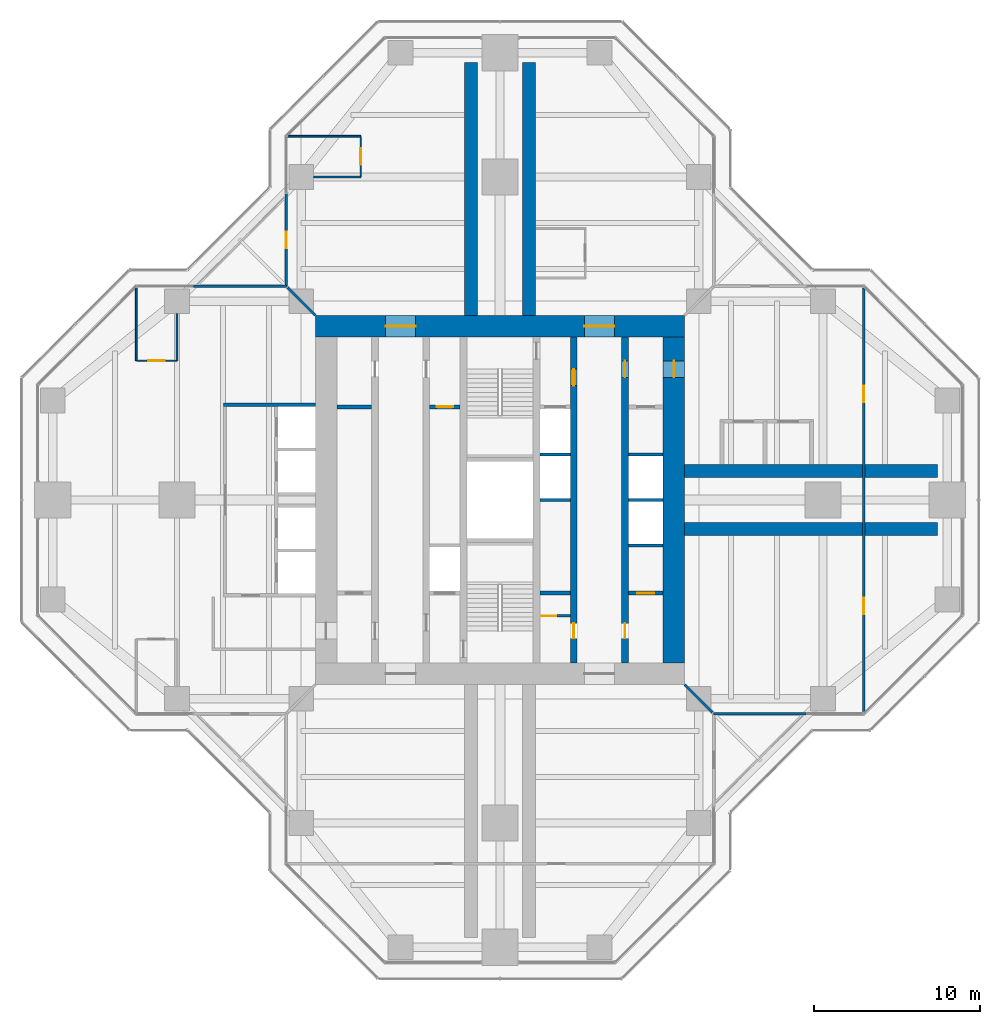
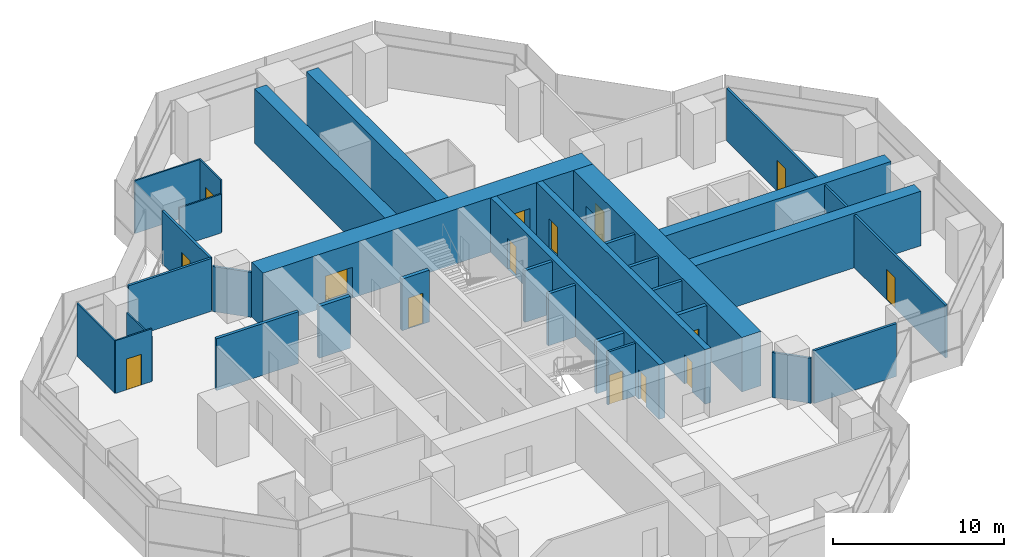
# One storey, part 14 of 17: 31 walls, 15 doors, 15 openings.
"""IFC4 building model written with IfcOpenShell, lengths in metres."""

from ifc_helpers import new_model, si_unit, direction, frame, frame_2d, origin, place, context, subcontext, project, spatial, rectangle, extrude, material, layer, layer_set, type_object, element, fill, save


model = new_model("IFC4")

# Units and contexts
model_context = context("Model", 3, precision=1e-05, world=origin(), true_north=direction((0.0, 1.0)))
body_context = subcontext(model_context, "Body", "Model", "MODEL_VIEW")
ifc_project = project(units=[si_unit("LENGTHUNIT", "METRE"), si_unit("AREAUNIT", "SQUARE_METRE"), si_unit("VOLUMEUNIT", "CUBIC_METRE"), si_unit("PLANEANGLEUNIT", "RADIAN"), si_unit("MASSUNIT", "GRAM", prefix="KILO")], contexts=[model_context])

# Site, building, storey
site_placement = place(None, origin())
site = spatial("IfcSite", under=ifc_project, at=site_placement, CompositionType="ELEMENT")
building_placement = place(site_placement, origin())
building = spatial("IfcBuilding", under=site, at=building_placement, Name="Mizan Broadcast Tower", CompositionType="ELEMENT")
storey_placement = place(building_placement, frame((0.0, 0.0, 212.699951171875)))
storey = spatial("IfcBuildingStorey", under=building, at=storey_placement, Name="L49", CompositionType="ELEMENT", Elevation=212.699951171875)

# Wall, openings, doors
ifc_material_1 = material(Name="Concrete C70/85", Category="concrete")
ifc_layer_1 = layer(ifc_material_1, 0.39990234375)
ifc_layer_set_1 = layer_set([ifc_layer_1], Name="Concrete C70/85")
wall_type_1 = type_object("IfcWallType", Name="CORE INTERNAL WALL 400", PredefinedType="SHEAR", material=ifc_layer_set_1)
wall_1_placement = place(storey_placement, frame((7.550048828125, 9.85009765625, 0.0), z_axis=(0.0, 0.0, 1.0), x_axis=(0.0, -1.0, 0.0)))
wall_1 = element("IfcWall", 1, at=wall_1_placement, inside=storey, type_object=wall_type_1, Name="Core wall CORE/XW1E", PredefinedType="SHEAR", context=body_context, shape_type="SweptSolid", body=[
    extrude(rectangle(XDim=19.7001953125, YDim=0.39990234375, at=frame_2d((9.85009765625, 0.0))), origin(), (0.0, 0.0, 1.0), 3.900146484375),
])
opening_1_placement = place(wall_1_placement, frame((1.449951171875, 0.0, 0.0)))
opening_1 = element("IfcOpeningElement", 2, at=opening_1_placement, cuts=wall_1, Name="Opening D10F", PredefinedType="OPENING", context=body_context, shape_type="SweptSolid", body=[
    extrude(rectangle(XDim=1.0, YDim=2.199951171875, at=frame_2d((0.5, 1.10009765625))), frame((0.0, 0.2099609375, 0.0), z_axis=(0.0, -1.0, 0.0), x_axis=(1.0, 0.0, 0.0)), (0.0, 0.0, 1.0), 0.419921875),
])
opening_2_placement = place(wall_1_placement, frame((17.300048828125, 0.0, 0.0)))
opening_2 = element("IfcOpeningElement", 3, at=opening_2_placement, cuts=wall_1, Name="Opening D09", PredefinedType="OPENING", context=body_context, shape_type="SweptSolid", body=[
    extrude(rectangle(XDim=0.89990234375, YDim=2.10009765625, at=frame_2d((0.449951171875, 1.050048828125))), frame((0.0, 0.2099609375, 0.0), z_axis=(0.0, -1.0, 0.0), x_axis=(1.0, 0.0, 0.0)), (0.0, 0.0, 1.0), 0.419921875),
])
ifc_material_2 = material(Name="Steel door leaf in steel frame", Category="steel")
door_type_1 = type_object("IfcDoorType", Name="FIRE DOOR 1000 FD90", OperationType="SINGLE_SWING_LEFT", PredefinedType="DOOR", material=ifc_material_2)
door_1_placement = place(opening_1_placement, origin())
door_1 = element("IfcDoor", 4, at=door_1_placement, inside=storey, type_object=door_type_1, Name="East core passage door", OperationType="SINGLE_SWING_LEFT", OverallHeight=2.199951171875, OverallWidth=1.0, PredefinedType="DOOR", context=body_context, shape_type="SweptSolid", body=[
    extrude(rectangle(XDim=1.0, YDim=2.199951171875, at=frame_2d((0.5, 1.10009765625))), frame((0.0, 0.02490234375, 0.0), z_axis=(0.0, -1.0, 0.0), x_axis=(1.0, 0.0, 0.0)), (0.0, 0.0, 1.0), 0.050048828125),
])
fill(opening_1, door_1)
ifc_material_3 = material(Name="Timber door leaf in aluminium frame", Category="wood")
door_type_2 = type_object("IfcDoorType", Name="TOILET DOOR 900", OperationType="SINGLE_SWING_LEFT", PredefinedType="DOOR", material=ifc_material_3)
door_2_placement = place(opening_2_placement, origin())
door_2 = element("IfcDoor", 5, at=door_2_placement, inside=storey, type_object=door_type_2, Name="Female WC door", OperationType="SINGLE_SWING_RIGHT", OverallHeight=2.10009765625, OverallWidth=0.89990234375, PredefinedType="DOOR", context=body_context, shape_type="SweptSolid", body=[
    extrude(rectangle(XDim=0.89990234375, YDim=2.10009765625, at=frame_2d((0.449951171875, 1.050048828125))), frame((0.0, 0.02490234375, 0.0), z_axis=(0.0, -1.0, 0.0), x_axis=(1.0, 0.0, 0.0)), (0.0, 0.0, 1.0), 0.050048828125),
])
fill(opening_2, door_2)

wall_2_placement = place(storey_placement, frame((4.449951171875, 9.85009765625, 0.0), z_axis=(0.0, 0.0, 1.0), x_axis=(0.0, -1.0, 0.0)))
wall_2 = element("IfcWall", 6, at=wall_2_placement, inside=storey, type_object=wall_type_1, Name="Core wall CORE/XWHE", PredefinedType="SHEAR", context=body_context, shape_type="SweptSolid", body=[
    extrude(rectangle(XDim=19.7001953125, YDim=0.39990234375, at=frame_2d((9.85009765625, 0.0))), origin(), (0.0, 0.0, 1.0), 3.900146484375),
])
opening_3_placement = place(wall_2_placement, frame((1.949951171875, 0.0, 0.0)))
opening_3 = element("IfcOpeningElement", 7, at=opening_3_placement, cuts=wall_2, Name="Opening D10F", PredefinedType="OPENING", context=body_context, shape_type="SweptSolid", body=[
    extrude(rectangle(XDim=1.0, YDim=2.199951171875, at=frame_2d((0.5, 1.10009765625))), frame((0.0, 0.2099609375, 0.0), z_axis=(0.0, -1.0, 0.0), x_axis=(1.0, 0.0, 0.0)), (0.0, 0.0, 1.0), 0.419921875),
])
opening_4_placement = place(wall_2_placement, frame((17.300048828125, 0.0, 0.0)))
opening_4 = element("IfcOpeningElement", 8, at=opening_4_placement, cuts=wall_2, Name="Opening D09", PredefinedType="OPENING", context=body_context, shape_type="SweptSolid", body=[
    extrude(rectangle(XDim=0.89990234375, YDim=2.10009765625, at=frame_2d((0.449951171875, 1.050048828125))), frame((0.0, 0.2099609375, 0.0), z_axis=(0.0, -1.0, 0.0), x_axis=(1.0, 0.0, 0.0)), (0.0, 0.0, 1.0), 0.419921875),
])
door_3_placement = place(opening_3_placement, origin())
door_3 = element("IfcDoor", 9, at=door_3_placement, inside=storey, type_object=door_type_1, Name="Firefighting lobby B door", OperationType="SINGLE_SWING_LEFT", OverallHeight=2.199951171875, OverallWidth=1.0, PredefinedType="DOOR", context=body_context, shape_type="SweptSolid", body=[
    extrude(rectangle(XDim=1.0, YDim=2.199951171875, at=frame_2d((0.5, 1.10009765625))), frame((0.0, 0.02490234375, 0.0), z_axis=(0.0, -1.0, 0.0), x_axis=(1.0, 0.0, 0.0)), (0.0, 0.0, 1.0), 0.050048828125),
])
fill(opening_3, door_3)
door_4_placement = place(opening_4_placement, origin())
door_4 = element("IfcDoor", 10, at=door_4_placement, inside=storey, type_object=door_type_2, Name="Cleaner's store door", OperationType="SINGLE_SWING_RIGHT", OverallHeight=2.10009765625, OverallWidth=0.89990234375, PredefinedType="DOOR", context=body_context, shape_type="SweptSolid", body=[
    extrude(rectangle(XDim=0.89990234375, YDim=2.10009765625, at=frame_2d((0.449951171875, 1.050048828125))), frame((0.0, 0.02490234375, 0.0), z_axis=(0.0, -1.0, 0.0), x_axis=(1.0, 0.0, 0.0)), (0.0, 0.0, 1.0), 0.050048828125),
])
fill(opening_4, door_4)

# Wall, opening, door
ifc_material_4 = material(Name="Concrete blockwork", Category="masonry")
ifc_layer_2 = layer(ifc_material_4, 0.14990234375)
ifc_layer_set_2 = layer_set([ifc_layer_2], Name="Concrete blockwork")
wall_type_2 = type_object("IfcWallType", Name="CORE PARTITION 150", PredefinedType="SOLIDWALL", material=ifc_layer_set_2)
wall_3_placement = place(storey_placement, frame((2.39990234375, -7.0, 0.0), z_axis=(0.0, 0.0, 1.0), x_axis=(1.0, 0.0, 0.0)))
wall_3 = element("IfcWall", 11, at=wall_3_placement, inside=storey, type_object=wall_type_2, Name="Core partition CORE/XPC", PredefinedType="SOLIDWALL", context=body_context, shape_type="SweptSolid", body=[
    extrude(rectangle(XDim=1.85009765625, YDim=0.14990234375, at=frame_2d((0.925048828125, 0.0))), origin(), (0.0, 0.0, 1.0), 3.77001953125),
])
opening_5_placement = place(wall_3_placement, frame((0.10009765625, 0.0, 0.0)))
opening_5 = element("IfcOpeningElement", 12, at=opening_5_placement, cuts=wall_3, Name="Opening D09F", PredefinedType="OPENING", context=body_context, shape_type="SweptSolid", body=[
    extrude(rectangle(XDim=0.89990234375, YDim=2.10009765625, at=frame_2d((0.449951171875, 1.050048828125))), frame((0.0, 0.0849609375, 0.0), z_axis=(0.0, -1.0, 0.0), x_axis=(1.0, 0.0, 0.0)), (0.0, 0.0, 1.0), 0.169921875),
])
ifc_material_5 = material(Name="Steel door leaf in steel frame", Category="steel")
door_type_3 = type_object("IfcDoorType", Name="CORE ROOM DOOR 900 FD90", OperationType="SINGLE_SWING_LEFT", PredefinedType="DOOR", material=ifc_material_5)
door_5_placement = place(opening_5_placement, origin())
door_5 = element("IfcDoor", 13, at=door_5_placement, inside=storey, type_object=door_type_3, Name="Waste store door", OperationType="SINGLE_SWING_LEFT", OverallHeight=2.10009765625, OverallWidth=0.89990234375, PredefinedType="DOOR", context=body_context, shape_type="SweptSolid", body=[
    extrude(rectangle(XDim=0.89990234375, YDim=2.10009765625, at=frame_2d((0.449951171875, 1.050048828125))), frame((0.0, 0.02490234375, 0.0), z_axis=(0.0, -1.0, 0.0), x_axis=(1.0, 0.0, 0.0)), (0.0, 0.0, 1.0), 0.050048828125),
])
fill(opening_5, door_5)

# Wall, openings, doors
ifc_material_6 = material(Name="Concrete C70/85", Category="concrete")
ifc_layer_3 = layer(ifc_material_6, 1.300048828125)
ifc_layer_set_3 = layer_set([ifc_layer_3], Name="Concrete C70/85")
wall_type_3 = type_object("IfcWallType", Name="CORE WALL 1300", PredefinedType="SHEAR", material=ifc_layer_set_3)
wall_4_placement = place(storey_placement, frame((-11.14990234375, 10.5, 0.0), z_axis=(0.0, 0.0, 1.0), x_axis=(1.0, 0.0, 0.0)))
wall_4 = element("IfcWall", 14, at=wall_4_placement, inside=storey, type_object=wall_type_3, Name="Core wall N L49", PredefinedType="SHEAR", context=body_context, shape_type="SweptSolid", body=[
    extrude(rectangle(XDim=22.2998046875, YDim=1.300048828125, at=frame_2d((11.14990234375, 0.0))), origin(), (0.0, 0.0, 1.0), 3.900146484375),
])
opening_6_placement = place(wall_4_placement, frame((4.25, 0.0, 0.0)))
opening_6 = element("IfcOpeningElement", 15, at=opening_6_placement, cuts=wall_4, Name="Opening D18F", PredefinedType="OPENING", context=body_context, shape_type="SweptSolid", body=[
    extrude(rectangle(XDim=1.800048828125, YDim=2.199951171875, at=frame_2d((0.89990234375, 1.10009765625))), frame((0.0, 0.659912109375, 0.0), z_axis=(0.0, -1.0, 0.0), x_axis=(1.0, 0.0, 0.0)), (0.0, 0.0, 1.0), 1.320068359375),
])
opening_7_placement = place(wall_4_placement, frame((16.25, 0.0, 0.0)))
opening_7 = element("IfcOpeningElement", 16, at=opening_7_placement, cuts=wall_4, Name="Opening D18F", PredefinedType="OPENING", context=body_context, shape_type="SweptSolid", body=[
    extrude(rectangle(XDim=1.800048828125, YDim=2.199951171875, at=frame_2d((0.89990234375, 1.10009765625))), frame((0.0, 0.659912109375, 0.0), z_axis=(0.0, -1.0, 0.0), x_axis=(1.0, 0.0, 0.0)), (0.0, 0.0, 1.0), 1.320068359375),
])
ifc_material_7 = material(Name="Steel door leaf in steel frame", Category="steel")
door_type_4 = type_object("IfcDoorType", Name="LOBBY DOUBLE DOOR 1800 FD90", OperationType="DOUBLE_DOOR_DOUBLE_SWING", PredefinedType="DOOR", material=ifc_material_7)
door_6_placement = place(opening_6_placement, origin())
door_6 = element("IfcDoor", 17, at=door_6_placement, inside=storey, type_object=door_type_4, Name="West lift lobby north door", OperationType="DOUBLE_DOOR_DOUBLE_SWING", OverallHeight=2.199951171875, OverallWidth=1.800048828125, PredefinedType="DOOR", context=body_context, shape_type="SweptSolid", body=[
    extrude(rectangle(XDim=1.800048828125, YDim=2.199951171875, at=frame_2d((0.89990234375, 1.10009765625))), frame((0.0, 0.02490234375, 0.0), z_axis=(0.0, -1.0, 0.0), x_axis=(1.0, 0.0, 0.0)), (0.0, 0.0, 1.0), 0.050048828125),
])
fill(opening_6, door_6)
door_7_placement = place(opening_7_placement, origin())
door_7 = element("IfcDoor", 18, at=door_7_placement, inside=storey, type_object=door_type_4, Name="East lift lobby north door", OperationType="DOUBLE_DOOR_DOUBLE_SWING", OverallHeight=2.199951171875, OverallWidth=1.800048828125, PredefinedType="DOOR", context=body_context, shape_type="SweptSolid", body=[
    extrude(rectangle(XDim=1.800048828125, YDim=2.199951171875, at=frame_2d((0.89990234375, 1.10009765625))), frame((0.0, 0.02490234375, 0.0), z_axis=(0.0, -1.0, 0.0), x_axis=(1.0, 0.0, 0.0)), (0.0, 0.0, 1.0), 0.050048828125),
])
fill(opening_7, door_7)

# Wall, opening, door
wall_5_placement = place(storey_placement, frame((10.5, -9.85009765625, 0.0), z_axis=(0.0, 0.0, 1.0), x_axis=(0.0, 1.0, 0.0)))
wall_5 = element("IfcWall", 19, at=wall_5_placement, inside=storey, type_object=wall_type_3, Name="Core wall E L49", PredefinedType="SHEAR", context=body_context, shape_type="SweptSolid", body=[
    extrude(rectangle(XDim=19.7001953125, YDim=1.300048828125, at=frame_2d((9.85009765625, 0.0))), origin(), (0.0, 0.0, 1.0), 3.900146484375),
])
opening_8_placement = place(wall_5_placement, frame((17.25, 0.0, 0.0)))
opening_8 = element("IfcOpeningElement", 20, at=opening_8_placement, cuts=wall_5, Name="Opening D10F", PredefinedType="OPENING", context=body_context, shape_type="SweptSolid", body=[
    extrude(rectangle(XDim=1.0, YDim=2.199951171875, at=frame_2d((0.5, 1.10009765625))), frame((0.0, 0.659912109375, 0.0), z_axis=(0.0, -1.0, 0.0), x_axis=(1.0, 0.0, 0.0)), (0.0, 0.0, 1.0), 1.320068359375),
])
door_8_placement = place(opening_8_placement, origin())
door_8 = element("IfcDoor", 21, at=door_8_placement, inside=storey, type_object=door_type_1, Name="East core passage arm door", OperationType="SINGLE_SWING_RIGHT", OverallHeight=2.199951171875, OverallWidth=1.0, PredefinedType="DOOR", context=body_context, shape_type="SweptSolid", body=[
    extrude(rectangle(XDim=1.0, YDim=2.199951171875, at=frame_2d((0.5, 1.10009765625))), frame((0.0, 0.02490234375, 0.0), z_axis=(0.0, -1.0, 0.0), x_axis=(1.0, 0.0, 0.0)), (0.0, 0.0, 1.0), 0.050048828125),
])
fill(opening_8, door_8)

# Wall
ifc_material_8 = material(Name="Aluminium framed glazed screen", Category="aluminium")
ifc_layer_4 = layer(ifc_material_8, 0.159912109375)
ifc_layer_set_4 = layer_set([ifc_layer_4], Name="Aluminium framed glazed screen")
wall_type_4 = type_object("IfcWallType", Name="GLAZED SCREEN WALL 160", PredefinedType="SOLIDWALL", material=ifc_layer_set_4)
wall_6_placement = place(storey_placement, frame((12.89990234375, -12.89990234375, 0.0), z_axis=(0.0, 0.0, 1.0), x_axis=(1.0, 0.0, 0.0)))
element("IfcWall", 22, at=wall_6_placement, inside=storey, type_object=wall_type_4, Name="Winter garden screen L49 E", PredefinedType="SOLIDWALL", context=body_context, shape_type="SweptSolid", body=[
    extrude(rectangle(XDim=5.60009765625, YDim=0.159912109375, at=frame_2d((2.800048828125, 0.0))), origin(), (0.0, 0.0, 1.0), 3.77001953125),
])

# Wall, opening, door
wall_7_placement = place(storey_placement, frame((-12.89990234375, 18.5, 0.0), z_axis=(0.0, 0.0, 1.0), x_axis=(0.0, -1.0, 0.0)))
wall_7 = element("IfcWall", 23, at=wall_7_placement, inside=storey, type_object=wall_type_4, Name="Winter garden screen L49 N", PredefinedType="SOLIDWALL", context=body_context, shape_type="SweptSolid", body=[
    extrude(rectangle(XDim=5.60009765625, YDim=0.159912109375, at=frame_2d((2.800048828125, 0.0))), origin(), (0.0, 0.0, 1.0), 3.77001953125),
])
opening_9_placement = place(wall_7_placement, frame((2.300048828125, 0.0, 0.0)))
opening_9 = element("IfcOpeningElement", 24, at=opening_9_placement, cuts=wall_7, Name="Opening WGD", PredefinedType="OPENING", context=body_context, shape_type="SweptSolid", body=[
    extrude(rectangle(XDim=1.0, YDim=2.199951171875, at=frame_2d((0.5, 1.10009765625))), frame((0.0, 0.08984375, 0.0), z_axis=(0.0, -1.0, 0.0), x_axis=(1.0, 0.0, 0.0)), (0.0, 0.0, 1.0), 0.179931640625),
])
ifc_material_9 = material(Name="Aluminium framed glazed door", Category="aluminium")
door_type_5 = type_object("IfcDoorType", Name="WINTER GARDEN DOOR 1000 GLAZED", OperationType="SINGLE_SWING_LEFT", PredefinedType="DOOR", material=ifc_material_9)
door_9_placement = place(opening_9_placement, origin())
door_9 = element("IfcDoor", 25, at=door_9_placement, inside=storey, type_object=door_type_5, Name="Winter garden door L49 N", OperationType="SINGLE_SWING_RIGHT", OverallHeight=2.199951171875, OverallWidth=1.0, PredefinedType="DOOR", context=body_context, shape_type="SweptSolid", body=[
    extrude(rectangle(XDim=1.0, YDim=2.199951171875, at=frame_2d((0.5, 1.10009765625))), frame((0.0, 0.02490234375, 0.0), z_axis=(0.0, -1.0, 0.0), x_axis=(1.0, 0.0, 0.0)), (0.0, 0.0, 1.0), 0.050048828125),
])
fill(opening_9, door_9)

# Walls
wall_8_placement = place(storey_placement, frame((-12.89990234375, 12.89990234375, 0.0), z_axis=(0.0, 0.0, 1.0), x_axis=(-1.0, 0.0, 0.0)))
element("IfcWall", 26, at=wall_8_placement, inside=storey, type_object=wall_type_4, Name="Winter garden screen L49 W", PredefinedType="SOLIDWALL", context=body_context, shape_type="SweptSolid", body=[
    extrude(rectangle(XDim=5.60009765625, YDim=0.159912109375, at=frame_2d((2.800048828125, 0.0))), origin(), (0.0, 0.0, 1.0), 3.77001953125),
])
ifc_material_10 = material(Name="Concrete blockwork", Category="masonry")
ifc_layer_5 = layer(ifc_material_10, 0.199951171875)
ifc_layer_set_5 = layer_set([ifc_layer_5], Name="Concrete blockwork")
wall_type_5 = type_object("IfcWallType", Name="LIFT SHAFT WALL 200", PredefinedType="SOLIDWALL", material=ifc_layer_set_5)
wall_9_placement = place(storey_placement, frame((7.75, -2.75, 0.0), z_axis=(0.0, 0.0, 1.0), x_axis=(1.0, 0.0, 0.0)))
element("IfcWall", 27, at=wall_9_placement, inside=storey, type_object=wall_type_5, Name="Lift shaft wall CORE/SE1-1", PredefinedType="SOLIDWALL", context=body_context, shape_type="SweptSolid", body=[
    extrude(rectangle(XDim=2.10009765625, YDim=0.199951171875, at=frame_2d((1.050048828125, 0.0))), origin(), (0.0, 0.0, 1.0), 3.699951171875),
])
wall_10_placement = place(storey_placement, frame((2.39990234375, 0.0, 0.0), z_axis=(0.0, 0.0, 1.0), x_axis=(1.0, 0.0, 0.0)))
element("IfcWall", 28, at=wall_10_placement, inside=storey, type_object=wall_type_5, Name="Lift shaft wall CORE/SE2-2", PredefinedType="SOLIDWALL", context=body_context, shape_type="SweptSolid", body=[
    extrude(rectangle(XDim=1.85009765625, YDim=0.199951171875, at=frame_2d((0.925048828125, 0.0))), origin(), (0.0, 0.0, 1.0), 3.699951171875),
])
wall_11_placement = place(storey_placement, frame((7.75, 0.0, 0.0), z_axis=(0.0, 0.0, 1.0), x_axis=(1.0, 0.0, 0.0)))
element("IfcWall", 29, at=wall_11_placement, inside=storey, type_object=wall_type_5, Name="Lift shaft wall CORE/SE1-2", PredefinedType="SOLIDWALL", context=body_context, shape_type="SweptSolid", body=[
    extrude(rectangle(XDim=2.10009765625, YDim=0.199951171875, at=frame_2d((1.050048828125, 0.0))), origin(), (0.0, 0.0, 1.0), 3.699951171875),
])
wall_12_placement = place(storey_placement, frame((2.39990234375, 2.75, 0.0), z_axis=(0.0, 0.0, 1.0), x_axis=(1.0, 0.0, 0.0)))
element("IfcWall", 30, at=wall_12_placement, inside=storey, type_object=wall_type_5, Name="Lift shaft wall CORE/SE2-3", PredefinedType="SOLIDWALL", context=body_context, shape_type="SweptSolid", body=[
    extrude(rectangle(XDim=1.85009765625, YDim=0.199951171875, at=frame_2d((0.925048828125, 0.0))), origin(), (0.0, 0.0, 1.0), 3.699951171875),
])
wall_13_placement = place(storey_placement, frame((7.75, 2.75, 0.0), z_axis=(0.0, 0.0, 1.0), x_axis=(1.0, 0.0, 0.0)))
element("IfcWall", 31, at=wall_13_placement, inside=storey, type_object=wall_type_5, Name="Lift shaft wall CORE/SE1-3", PredefinedType="SOLIDWALL", context=body_context, shape_type="SweptSolid", body=[
    extrude(rectangle(XDim=2.10009765625, YDim=0.199951171875, at=frame_2d((1.050048828125, 0.0))), origin(), (0.0, 0.0, 1.0), 3.699951171875),
])
wall_14_placement = place(storey_placement, frame((-11.14990234375, 5.75, 0.0), z_axis=(0.0, 0.0, 1.0), x_axis=(-1.0, 0.0, 0.0)))
element("IfcWall", 32, at=wall_14_placement, inside=storey, type_object=wall_type_5, Name="Lift shaft wall LC/S1", PredefinedType="SOLIDWALL", context=body_context, shape_type="SweptSolid", body=[
    extrude(rectangle(XDim=5.550048828125, YDim=0.199951171875, at=frame_2d((2.77490234375, 0.0))), origin(), (0.0, 0.0, 1.0), 3.699951171875),
])
ifc_material_11 = material(Name="Concrete blockwork", Category="masonry")
ifc_layer_6 = layer(ifc_material_11, 0.25)
ifc_layer_set_6 = layer_set([ifc_layer_6], Name="Concrete blockwork")
wall_type_6 = type_object("IfcWallType", Name="LOBBY ENCLOSURE WALL 250", PredefinedType="SOLIDWALL", material=ifc_layer_set_6)
wall_15_placement = place(storey_placement, frame((-9.85009765625, 5.625, 0.0), z_axis=(0.0, 0.0, 1.0), x_axis=(1.0, 0.0, 0.0)))
element("IfcWall", 33, at=wall_15_placement, inside=storey, type_object=wall_type_6, Name="Lobby enclosure wall CORE/BW1N", PredefinedType="SOLIDWALL", context=body_context, shape_type="SweptSolid", body=[
    extrude(rectangle(XDim=2.10009765625, YDim=0.25, at=frame_2d((1.050048828125, 0.0))), origin(), (0.0, 0.0, 1.0), 3.699951171875),
])

# Wall, opening, door
wall_16_placement = place(storey_placement, frame((-4.25, 5.625, 0.0), z_axis=(0.0, 0.0, 1.0), x_axis=(1.0, 0.0, 0.0)))
wall_16 = element("IfcWall", 34, at=wall_16_placement, inside=storey, type_object=wall_type_6, Name="Lobby enclosure wall CORE/BW2N", PredefinedType="SOLIDWALL", context=body_context, shape_type="SweptSolid", body=[
    extrude(rectangle(XDim=1.85009765625, YDim=0.25, at=frame_2d((0.925048828125, 0.0))), origin(), (0.0, 0.0, 1.0), 3.699951171875),
])
opening_10_placement = place(wall_16_placement, frame((0.425048828125, 0.0, 0.0)))
opening_10 = element("IfcOpeningElement", 35, at=opening_10_placement, cuts=wall_16, Name="Opening D10F", PredefinedType="OPENING", context=body_context, shape_type="SweptSolid", body=[
    extrude(rectangle(XDim=1.0, YDim=2.199951171875, at=frame_2d((0.5, 1.10009765625))), frame((0.0, 0.135009765625, 0.0), z_axis=(0.0, -1.0, 0.0), x_axis=(1.0, 0.0, 0.0)), (0.0, 0.0, 1.0), 0.27001953125),
])
door_10_placement = place(opening_10_placement, origin())
door_10 = element("IfcDoor", 36, at=door_10_placement, inside=storey, type_object=door_type_1, Name="Accessible shower room door", OperationType="SINGLE_SWING_RIGHT", OverallHeight=2.199951171875, OverallWidth=1.0, PredefinedType="DOOR", context=body_context, shape_type="SweptSolid", body=[
    extrude(rectangle(XDim=1.0, YDim=2.199951171875, at=frame_2d((0.5, 1.10009765625))), frame((0.0, 0.02490234375, 0.0), z_axis=(0.0, -1.0, 0.0), x_axis=(1.0, 0.0, 0.0)), (0.0, 0.0, 1.0), 0.050048828125),
])
fill(opening_10, door_10)

# Wall
wall_17_placement = place(storey_placement, frame((2.39990234375, -5.625, 0.0), z_axis=(0.0, 0.0, 1.0), x_axis=(1.0, 0.0, 0.0)))
element("IfcWall", 37, at=wall_17_placement, inside=storey, type_object=wall_type_6, Name="Lobby enclosure wall CORE/BE2S", PredefinedType="SOLIDWALL", context=body_context, shape_type="SweptSolid", body=[
    extrude(rectangle(XDim=1.85009765625, YDim=0.25, at=frame_2d((0.925048828125, 0.0))), origin(), (0.0, 0.0, 1.0), 3.699951171875),
])

# Wall, opening, door
wall_18_placement = place(storey_placement, frame((7.75, -5.625, 0.0), z_axis=(0.0, 0.0, 1.0), x_axis=(1.0, 0.0, 0.0)))
wall_18 = element("IfcWall", 38, at=wall_18_placement, inside=storey, type_object=wall_type_6, Name="Lobby enclosure wall CORE/BE1S", PredefinedType="SOLIDWALL", context=body_context, shape_type="SweptSolid", body=[
    extrude(rectangle(XDim=2.10009765625, YDim=0.25, at=frame_2d((1.050048828125, 0.0))), origin(), (0.0, 0.0, 1.0), 3.699951171875),
])
opening_11_placement = place(wall_18_placement, frame((0.550048828125, 0.0, 0.0)))
opening_11 = element("IfcOpeningElement", 39, at=opening_11_placement, cuts=wall_18, Name="Opening D10F", PredefinedType="OPENING", context=body_context, shape_type="SweptSolid", body=[
    extrude(rectangle(XDim=1.0, YDim=2.199951171875, at=frame_2d((0.5, 1.10009765625))), frame((0.0, 0.135009765625, 0.0), z_axis=(0.0, -1.0, 0.0), x_axis=(1.0, 0.0, 0.0)), (0.0, 0.0, 1.0), 0.27001953125),
])
door_11_placement = place(opening_11_placement, origin())
door_11 = element("IfcDoor", 40, at=door_11_placement, inside=storey, type_object=door_type_1, Name="Female staff shower room door", OperationType="SINGLE_SWING_LEFT", OverallHeight=2.199951171875, OverallWidth=1.0, PredefinedType="DOOR", context=body_context, shape_type="SweptSolid", body=[
    extrude(rectangle(XDim=1.0, YDim=2.199951171875, at=frame_2d((0.5, 1.10009765625))), frame((0.0, 0.02490234375, 0.0), z_axis=(0.0, -1.0, 0.0), x_axis=(1.0, 0.0, 0.0)), (0.0, 0.0, 1.0), 0.050048828125),
])
fill(opening_11, door_11)

# Wall, openings, doors
ifc_material_12 = material(Name="Gypsum board on steel studs", Category="steel")
ifc_layer_7 = layer(ifc_material_12, 0.14990234375)
ifc_layer_set_7 = layer_set([ifc_layer_7], Name="Gypsum board on steel studs")
wall_type_7 = type_object("IfcWallType", Name="PARTITION 150", PredefinedType="PARTITIONING", material=ifc_layer_set_7)
wall_19_placement = place(storey_placement, frame((21.958984375, -12.786376953125, 0.0), z_axis=(0.0, 0.0, 1.0), x_axis=(0.0, 1.0, 0.0)))
wall_19 = element("IfcWall", 41, at=wall_19_placement, inside=storey, type_object=wall_type_7, Name="Partition PT/EX1", PredefinedType="PARTITIONING", context=body_context, shape_type="SweptSolid", body=[
    extrude(rectangle(XDim=25.57275390625, YDim=0.14990234375, at=frame_2d((12.786376953125, 0.0))), origin(), (0.0, 0.0, 1.0), 3.77001953125),
])
opening_12_placement = place(wall_19_placement, frame((18.6865234375, 0.0, 0.0)))
opening_12 = element("IfcOpeningElement", 42, at=opening_12_placement, cuts=wall_19, Name="Opening D10", PredefinedType="OPENING", context=body_context, shape_type="SweptSolid", body=[
    extrude(rectangle(XDim=1.0, YDim=2.199951171875, at=frame_2d((0.5, 1.10009765625))), frame((0.0, 0.0849609375, 0.0), z_axis=(0.0, -1.0, 0.0), x_axis=(1.0, 0.0, 0.0)), (0.0, 0.0, 1.0), 0.169921875),
])
opening_13_placement = place(wall_19_placement, frame((5.886474609375, 0.0, 0.0)))
opening_13 = element("IfcOpeningElement", 43, at=opening_13_placement, cuts=wall_19, Name="Opening D10", PredefinedType="OPENING", context=body_context, shape_type="SweptSolid", body=[
    extrude(rectangle(XDim=1.0, YDim=2.199951171875, at=frame_2d((0.5, 1.10009765625))), frame((0.0, 0.0849609375, 0.0), z_axis=(0.0, -1.0, 0.0), x_axis=(1.0, 0.0, 0.0)), (0.0, 0.0, 1.0), 0.169921875),
])
ifc_material_13 = material(Name="Timber door leaf in aluminium frame", Category="wood")
door_type_6 = type_object("IfcDoorType", Name="ROOM DOOR 1000", OperationType="SINGLE_SWING_LEFT", PredefinedType="DOOR", material=ifc_material_13)
door_12_placement = place(opening_12_placement, origin())
door_12 = element("IfcDoor", 44, at=door_12_placement, inside=storey, type_object=door_type_6, Name="Meeting room door", OperationType="SINGLE_SWING_RIGHT", OverallHeight=2.199951171875, OverallWidth=1.0, PredefinedType="DOOR", context=body_context, shape_type="SweptSolid", body=[
    extrude(rectangle(XDim=1.0, YDim=2.199951171875, at=frame_2d((0.5, 1.10009765625))), frame((0.0, 0.02490234375, 0.0), z_axis=(0.0, -1.0, 0.0), x_axis=(1.0, 0.0, 0.0)), (0.0, 0.0, 1.0), 0.050048828125),
])
fill(opening_12, door_12)
door_13_placement = place(opening_13_placement, origin())
door_13 = element("IfcDoor", 45, at=door_13_placement, inside=storey, type_object=door_type_6, Name="Meeting room door", OperationType="SINGLE_SWING_LEFT", OverallHeight=2.199951171875, OverallWidth=1.0, PredefinedType="DOOR", context=body_context, shape_type="SweptSolid", body=[
    extrude(rectangle(XDim=1.0, YDim=2.199951171875, at=frame_2d((0.5, 1.10009765625))), frame((0.0, 0.02490234375, 0.0), z_axis=(0.0, -1.0, 0.0), x_axis=(1.0, 0.0, 0.0)), (0.0, 0.0, 1.0), 0.050048828125),
])
fill(opening_13, door_13)

# Walls
for number, where, z_axis, x_axis, name in (
    (46, (-11.14990234375, 11.14990234375, 0.0), (0.0, 0.0, 1.0), (-0.707106781187, 0.707106781187, 0.0), "Partition PT/DGWN"),
    (47, (11.14990234375, -11.14990234375, 0.0), (0.0, 0.0, 1.0), (0.707106781187, -0.707106781187, 0.0), "Partition PT/DGES"),
):
    element("IfcWall", number, at=place(storey_placement, frame(where, z_axis=z_axis, x_axis=x_axis)), inside=storey, type_object=wall_type_7, Name=name, PredefinedType="PARTITIONING", context=body_context, shape_type="SweptSolid", body=[
        extrude(rectangle(XDim=2.362060546875, YDim=0.14990234375, at=frame_2d((1.18115234375, 0.0))), origin(), (0.0, 0.0, 1.0), 3.219970703125),
    ])

# Wall, opening, door
ifc_material_14 = material(Name="Glazed aluminium partition on aluminium track", Category="aluminium")
ifc_layer_8 = layer(ifc_material_14, 0.10009765625)
ifc_layer_set_8 = layer_set([ifc_layer_8], Name="Glazed aluminium partition on aluminium track")
wall_type_8 = type_object("IfcWallType", Name="PARTITION GLAZED OFFICE FRONT 100", PredefinedType="PARTITIONING", material=ifc_layer_set_8)
wall_20_placement = place(storey_placement, frame((-8.39990234375, 19.5, 0.0), z_axis=(0.0, 0.0, 1.0), x_axis=(0.0, 1.0, 0.0)))
wall_20 = element("IfcWall", 48, at=wall_20_placement, inside=storey, type_object=wall_type_8, Name="Glazed office front PT/NCP0", PredefinedType="PARTITIONING", context=body_context, shape_type="SweptSolid", body=[
    extrude(rectangle(XDim=2.458984375, YDim=0.10009765625, at=frame_2d((1.2294921875, 0.0))), origin(), (0.0, 0.0, 1.0), 3.77001953125),
])
opening_14_placement = place(wall_20_placement, frame((0.7294921875, 0.0, 0.0)))
opening_14 = element("IfcOpeningElement", 49, at=opening_14_placement, cuts=wall_20, Name="Opening D10O", PredefinedType="OPENING", context=body_context, shape_type="SweptSolid", body=[
    extrude(rectangle(XDim=1.0, YDim=2.199951171875, at=frame_2d((0.5, 1.10009765625))), frame((0.0, 0.06005859375, 0.0), z_axis=(0.0, -1.0, 0.0), x_axis=(1.0, 0.0, 0.0)), (0.0, 0.0, 1.0), 0.1201171875),
])
ifc_material_15 = material(Name="Timber door leaf in aluminium frame", Category="wood")
door_type_7 = type_object("IfcDoorType", Name="OFFICE DOOR 1000 GLAZED", OperationType="SINGLE_SWING_LEFT", PredefinedType="DOOR", material=ifc_material_15)
door_14_placement = place(opening_14_placement, origin())
door_14 = element("IfcDoor", 50, at=door_14_placement, inside=storey, type_object=door_type_7, Name="Producer's office door", OperationType="SINGLE_SWING_LEFT", OverallHeight=2.199951171875, OverallWidth=1.0, PredefinedType="DOOR", context=body_context, shape_type="SweptSolid", body=[
    extrude(rectangle(XDim=1.0, YDim=2.199951171875, at=frame_2d((0.5, 1.10009765625))), frame((0.0, 0.02490234375, 0.0), z_axis=(0.0, -1.0, 0.0), x_axis=(1.0, 0.0, 0.0)), (0.0, 0.0, 1.0), 0.050048828125),
])
fill(opening_14, door_14)

# Walls
wall_21_placement = place(storey_placement, frame((-8.39990234375, 19.5, 0.0), z_axis=(0.0, 0.0, 1.0), x_axis=(-1.0, 0.0, 0.0)))
element("IfcWall", 51, at=wall_21_placement, inside=storey, type_object=wall_type_8, Name="Glazed office front PT/NQP1950", PredefinedType="PARTITIONING", context=body_context, shape_type="SweptSolid", body=[
    extrude(rectangle(XDim=2.85009765625, YDim=0.10009765625, at=frame_2d((1.425048828125, 0.0))), origin(), (0.0, 0.0, 1.0), 2.77001953125),
])
wall_22_placement = place(storey_placement, frame((-8.39990234375, 21.958984375, 0.0), z_axis=(0.0, 0.0, 1.0), x_axis=(-1.0, 0.0, 0.0)))
element("IfcWall", 52, at=wall_22_placement, inside=storey, type_object=wall_type_8, Name="Glazed office front PT/NQP2196", PredefinedType="PARTITIONING", context=body_context, shape_type="SweptSolid", body=[
    extrude(rectangle(XDim=4.420166015625, YDim=0.10009765625, at=frame_2d((2.2099609375, 0.0))), origin(), (0.0, 0.0, 1.0), 3.77001953125),
])

# Wall, opening, door
wall_23_placement = place(storey_placement, frame((-19.5, 8.39990234375, 0.0), z_axis=(0.0, 0.0, 1.0), x_axis=(-1.0, 0.0, 0.0)))
wall_23 = element("IfcWall", 53, at=wall_23_placement, inside=storey, type_object=wall_type_8, Name="Glazed office front PT/WCN0", PredefinedType="PARTITIONING", context=body_context, shape_type="SweptSolid", body=[
    extrude(rectangle(XDim=2.458984375, YDim=0.10009765625, at=frame_2d((1.2294921875, 0.0))), origin(), (0.0, 0.0, 1.0), 3.77001953125),
])
opening_15_placement = place(wall_23_placement, frame((0.7294921875, 0.0, 0.0)))
opening_15 = element("IfcOpeningElement", 54, at=opening_15_placement, cuts=wall_23, Name="Opening D10O", PredefinedType="OPENING", context=body_context, shape_type="SweptSolid", body=[
    extrude(rectangle(XDim=1.0, YDim=2.199951171875, at=frame_2d((0.5, 1.10009765625))), frame((0.0, 0.06005859375, 0.0), z_axis=(0.0, -1.0, 0.0), x_axis=(1.0, 0.0, 0.0)), (0.0, 0.0, 1.0), 0.1201171875),
])
door_15_placement = place(opening_15_placement, origin())
door_15 = element("IfcDoor", 55, at=door_15_placement, inside=storey, type_object=door_type_7, Name="Office door", OperationType="SINGLE_SWING_LEFT", OverallHeight=2.199951171875, OverallWidth=1.0, PredefinedType="DOOR", context=body_context, shape_type="SweptSolid", body=[
    extrude(rectangle(XDim=1.0, YDim=2.199951171875, at=frame_2d((0.5, 1.10009765625))), frame((0.0, 0.02490234375, 0.0), z_axis=(0.0, -1.0, 0.0), x_axis=(1.0, 0.0, 0.0)), (0.0, 0.0, 1.0), 0.050048828125),
])
fill(opening_15, door_15)

# Walls
wall_24_placement = place(storey_placement, frame((-19.5, 8.39990234375, 0.0), z_axis=(0.0, 0.0, 1.0), x_axis=(0.0, 1.0, 0.0)))
element("IfcWall", 56, at=wall_24_placement, inside=storey, type_object=wall_type_8, Name="Glazed office front PT/WQN1950", PredefinedType="PARTITIONING", context=body_context, shape_type="SweptSolid", body=[
    extrude(rectangle(XDim=2.85009765625, YDim=0.10009765625, at=frame_2d((1.425048828125, 0.0))), origin(), (0.0, 0.0, 1.0), 3.179931640625),
])
wall_25_placement = place(storey_placement, frame((-21.958984375, 8.39990234375, 0.0), z_axis=(0.0, 0.0, 1.0), x_axis=(0.0, 1.0, 0.0)))
element("IfcWall", 57, at=wall_25_placement, inside=storey, type_object=wall_type_8, Name="Glazed office front PT/WQN2196", PredefinedType="PARTITIONING", context=body_context, shape_type="SweptSolid", body=[
    extrude(rectangle(XDim=4.420166015625, YDim=0.10009765625, at=frame_2d((2.2099609375, 0.0))), origin(), (0.0, 0.0, 1.0), 3.77001953125),
])
ifc_material_16 = material(Name="Concrete C70/85", Category="concrete")
ifc_layer_9 = layer(ifc_material_16, 0.800048828125)
ifc_layer_set_9 = layer_set([ifc_layer_9], Name="Concrete C70/85")
wall_type_9 = type_object("IfcWallType", Name="SPINE WALL 800", PredefinedType="SHEAR", material=ifc_layer_set_9)
for number, where, z_axis, x_axis, name in (
    (58, (11.14990234375, -1.75, 0.0), (0.0, 0.0, 1.0), (1.0, 0.0, 0.0), "Spine wall ER L49"),
    (59, (11.14990234375, 1.75, 0.0), (0.0, 0.0, 1.0), (1.0, 0.0, 0.0), "Spine wall EL L49"),
    (60, (1.75, 11.14990234375, 0.0), (0.0, 0.0, 1.0), (0.0, 1.0, 0.0), "Spine wall NR L49"),
    (61, (-1.75, 11.14990234375, 0.0), (0.0, 0.0, 1.0), (0.0, 1.0, 0.0), "Spine wall NL L49"),
):
    element("IfcWall", number, at=place(storey_placement, frame(where, z_axis=z_axis, x_axis=x_axis)), inside=storey, type_object=wall_type_9, Name=name, PredefinedType="SHEAR", context=body_context, shape_type="SweptSolid", body=[
        extrude(rectangle(XDim=15.25, YDim=0.800048828125, at=frame_2d((7.625, 0.0))), origin(), (0.0, 0.0, 1.0), 3.900146484375),
    ])

save(model, "model.ifc")
